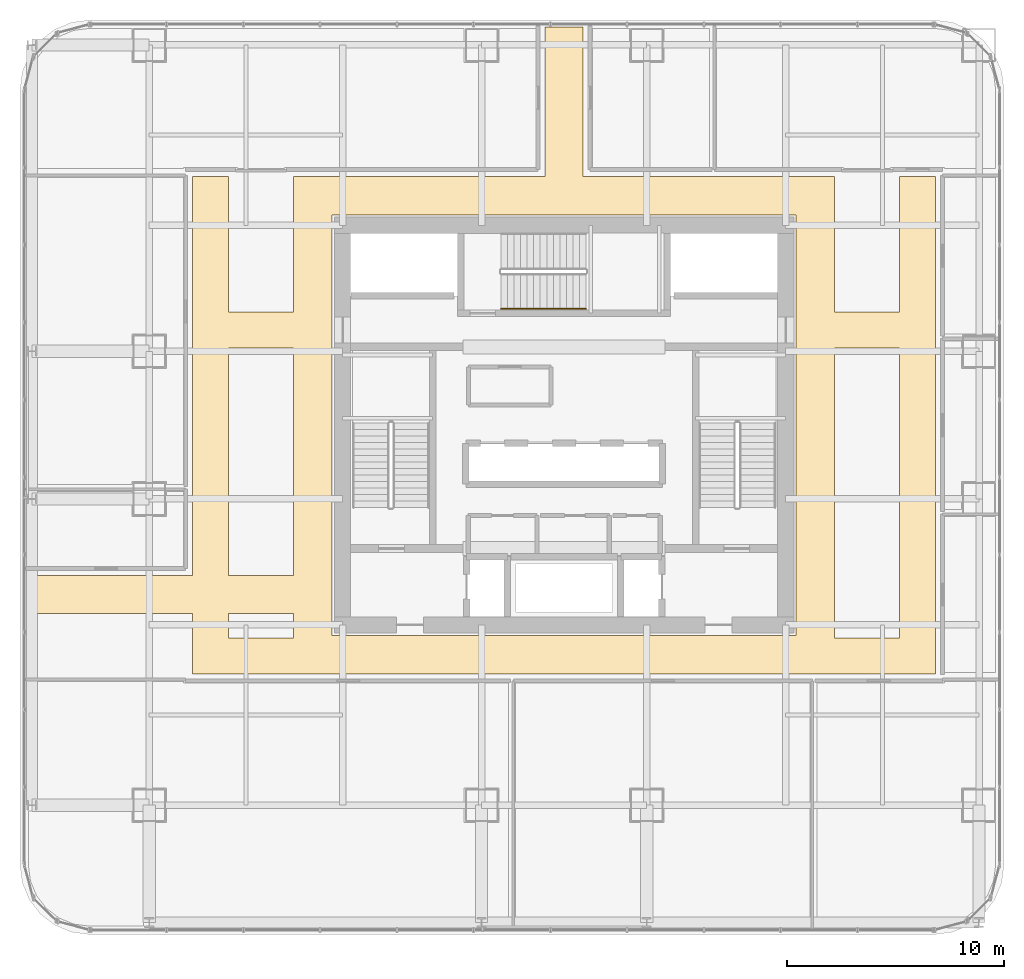
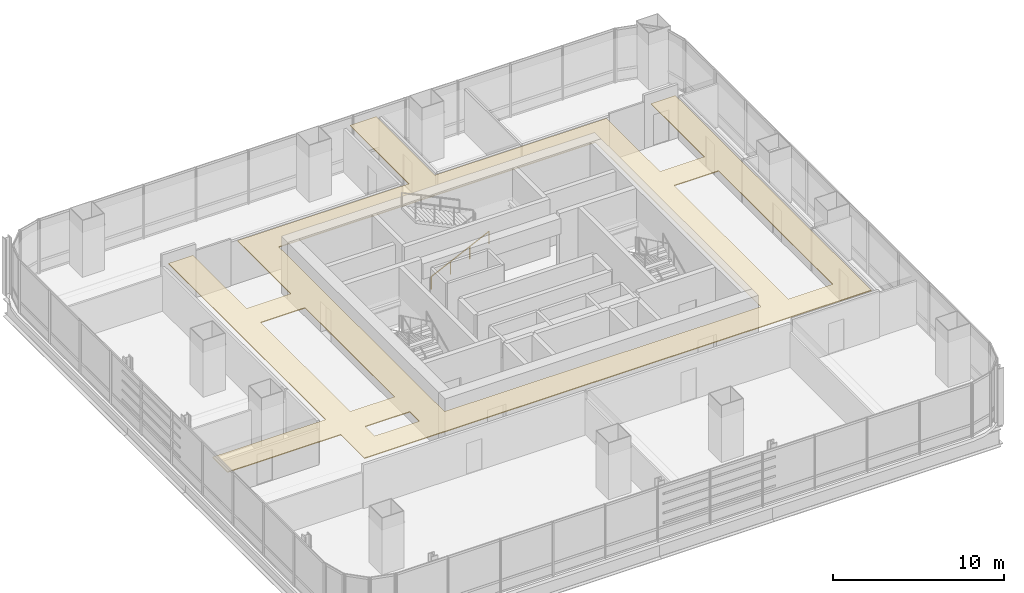
# One storey, part 34 of 36: 1 covering, 1 railing.
"""IFC4 building model written with IfcOpenShell, lengths in metres."""

import ifcopenshell
import ifcopenshell.guid

model = None  # the IFC model being written
_history = None  # IfcOwnerHistory: only IFC2X3 demands one
_inside = {}  # id of a spatial element -> (the spatial element, [elements in it])
_under = {}  # id of a project, library or spatial element -> (it, [spatial elements below it])
_declared = {}  # id of a project -> (the project, [libraries it declares])
_typed = {}  # id of a type object -> (the type object, [elements of that type])
_made_of = {}  # id of a material, layer set ... -> (it, [elements and type objects made of it])


def new_model(schema):
    """Start an empty IFC model of exactly this schema.

    Asked for "IFC4X3", IfcOpenShell would pick the latest addendum, in which some entities
    have other attributes; the version numbers below select the first issue.
    IFC2X3 requires an IfcOwnerHistory on every rooted entity: one is made here for all.
    """
    global model, _history
    if schema == "IFC4X3":
        model = ifcopenshell.file(schema_version=(4, 3, 0, 0))
    else:
        model = ifcopenshell.file(schema=schema)
    _inside.clear()
    _under.clear()
    _declared.clear()
    _typed.clear()
    _made_of.clear()
    _history = None
    if model.schema == "IFC2X3":
        org = make("IfcOrganization", Name="unknown")
        user = make(
            "IfcPersonAndOrganization",
            ThePerson=make("IfcPerson", FamilyName="unknown"),
            TheOrganization=org,
        )
        app = make(
            "IfcApplication",
            ApplicationDeveloper=org,
            Version="unknown",
            ApplicationFullName="unknown",
            ApplicationIdentifier="unknown",
        )
        _history = make(
            "IfcOwnerHistory",
            OwningUser=user,
            OwningApplication=app,
            ChangeAction="ADDED",
            CreationDate=0,
        )
    return model


def make(cls, **values):
    """One entity of the class cls with the attributes given. An attribute that is None is left unset."""
    return model.create_entity(
        cls, **{name: value for name, value in values.items() if value is not None}
    )


def rooted(cls, **values):
    """An entity with a GlobalId (a new one), such as an element, a storey or a relation."""
    return make(cls, GlobalId=ifcopenshell.guid.new(), OwnerHistory=_history, **values)


def si_unit(unit_type, name, prefix=None):
    """IfcSIUnit, for example si_unit("LENGTHUNIT", "METRE", prefix="MILLI")."""
    return make("IfcSIUnit", UnitType=unit_type, Prefix=prefix, Name=name)


def assignment(units):
    """IfcUnitAssignment: the units of a project."""
    return None if units is None else make("IfcUnitAssignment", Units=units)


def point(xyz):
    """IfcCartesianPoint."""
    return None if xyz is None else make("IfcCartesianPoint", Coordinates=xyz)


def direction(xyz):
    """IfcDirection."""
    return None if xyz is None else make("IfcDirection", DirectionRatios=xyz)


def frame(location, z_axis=None, x_axis=None):
    """IfcAxis2Placement3D, a coordinate frame: its origin and axes. An axis left out is left unset."""
    return make(
        "IfcAxis2Placement3D",
        Location=point(location),
        Axis=direction(z_axis),
        RefDirection=direction(x_axis),
    )


def frame_2d(location, x_axis=None):
    """IfcAxis2Placement2D, a coordinate frame in the plane: its origin and x axis."""
    return make(
        "IfcAxis2Placement2D", Location=point(location), RefDirection=direction(x_axis)
    )


def origin():
    """The frame at (0, 0, 0) with its axes left unset."""
    return frame((0.0, 0.0, 0.0))


def origin_2d():
    """The frame at (0, 0) in the plane with its x axis left unset."""
    return frame_2d((0.0, 0.0))


def place(relative_to, where):
    """IfcLocalPlacement: puts the frame where relative to a parent placement (None: the world)."""
    return make(
        "IfcLocalPlacement", PlacementRelTo=relative_to, RelativePlacement=where
    )


def context(
    kind, dimensions, precision=None, world=None, true_north=None, identifier=None
):
    """IfcGeometricRepresentationContext, for example the 3D "Model" context."""
    return make(
        "IfcGeometricRepresentationContext",
        ContextIdentifier=identifier,
        ContextType=kind,
        CoordinateSpaceDimension=dimensions,
        Precision=precision,
        WorldCoordinateSystem=world,
        TrueNorth=true_north,
    )


def subcontext(parent, identifier, kind, view, scale=None):
    """IfcGeometricRepresentationSubContext, for example "Body" below "Model"."""
    return make(
        "IfcGeometricRepresentationSubContext",
        ContextIdentifier=identifier,
        ContextType=kind,
        ParentContext=parent,
        TargetScale=scale,
        TargetView=view,
    )


def project(units=None, contexts=None):
    """IfcProject with its units and contexts."""
    return rooted(
        "IfcProject",
        Name="project",
        RepresentationContexts=contexts,
        UnitsInContext=assignment(units),
    )


def spatial(cls, under=None, at=None, **own):
    """A site, building, storey or space (cls), placed at a placement, below another one or the project."""
    s = rooted(cls, ObjectPlacement=at, **own)
    if under is not None:
        _under.setdefault(under.id(), (under, []))[1].append(s)
    return s


def polyline(points):
    """IfcPolyline through the points."""
    return make("IfcPolyline", Points=[point(p) for p in points])


def profile(cls, at=None, kind="AREA", **sizes):
    """A parametric profile (cls). Its sizes go by their IFC names, for example OverallWidth=200.0."""
    return make(cls, ProfileType=kind, Position=at, **sizes)


def circle(**sizes):
    """IfcCircleProfileDef."""
    return profile("IfcCircleProfileDef", **sizes)


def outline(outer, holes=None, kind="AREA"):
    """IfcArbitraryClosedProfileDef: a profile drawn as a closed curve; with holes, ...WithVoids."""
    if holes is None:
        return make("IfcArbitraryClosedProfileDef", ProfileType=kind, OuterCurve=outer)
    return make(
        "IfcArbitraryProfileDefWithVoids",
        ProfileType=kind,
        OuterCurve=outer,
        InnerCurves=holes,
    )


def extrude(swept, where, along, depth):
    """IfcExtrudedAreaSolid: the profile swept, set in the frame where, extruded along a direction by depth."""
    return make(
        "IfcExtrudedAreaSolid",
        SweptArea=swept,
        Position=where,
        ExtrudedDirection=direction(along),
        Depth=depth,
    )


def shape(context_of_items, identifier, shape_type, items):
    """IfcShapeRepresentation: the items that make up one representation, for example the "Body"."""
    return make(
        "IfcShapeRepresentation",
        ContextOfItems=context_of_items,
        RepresentationIdentifier=identifier,
        RepresentationType=shape_type,
        Items=items,
    )


def material(Name=None, Category=None):
    """IfcMaterial."""
    return make("IfcMaterial", Name=Name, Category=Category)


def layer(
    of_material, thickness, ventilated=None, Name=None, Category=None, Priority=None
):
    """IfcMaterialLayer: one layer of a wall or slab, of a material (None: an air gap)."""
    return make(
        "IfcMaterialLayer",
        Material=of_material,
        LayerThickness=thickness,
        IsVentilated=ventilated,
        Name=Name,
        Category=Category,
        Priority=Priority,
    )


def layer_set(layers, Name=None):
    """IfcMaterialLayerSet."""
    return make("IfcMaterialLayerSet", MaterialLayers=layers, LayerSetName=Name)


def made_of(thing, what):
    """Note that an element or type object is made of a material, layer set ...; save() writes the relation."""
    if what is not None:
        _made_of.setdefault(what.id(), (what, []))[1].append(thing)
    return thing


def type_object(cls, material=None, **own):
    """A type object (cls), such as IfcWallType, which elements share."""
    return made_of(rooted(cls, **own), material)


def element(
    cls,
    number,
    at=None,
    inside=None,
    cuts=None,
    type_object=None,
    material=None,
    context=None,
    identifier="Body",
    shape_type=None,
    held_by="IfcProductDefinitionShape",
    body=None,
    shapes=None,
    **own,
):
    """One element of the class cls, such as IfcWall. Its Tag is "e" and its number.

    at: its placement. inside: the storey or other place that contains it. cuts: it is an
    opening in that element (IfcRelVoidsElement). A single representation is given by context,
    identifier, shape_type and body (its items); several are given by shapes. held_by: the class
    of the entity that holds the representations. save() writes the other relations.
    """
    e = rooted(cls, Tag="e%d" % number, ObjectPlacement=at, **own)
    if body is not None:
        shapes = [shape(context, identifier, shape_type, body)]
    if shapes is not None:
        e.Representation = make(held_by, Representations=shapes)
    if inside is not None:
        _inside.setdefault(inside.id(), (inside, []))[1].append(e)
    if cuts is not None:
        rooted(
            "IfcRelVoidsElement", RelatingBuildingElement=cuts, RelatedOpeningElement=e
        )
    if type_object is not None:
        _typed.setdefault(type_object.id(), (type_object, []))[1].append(e)
    return made_of(e, material)


def aggregate(whole, parts):
    """IfcRelAggregates: a whole, such as a stair, and the parts it consists of."""
    return rooted("IfcRelAggregates", RelatingObject=whole, RelatedObjects=parts)


def save(model, path):
    """Write the relations noted so far, then the file.

    IfcRelAggregates (storeys below a building ...), IfcRelContainedInSpatialStructure (elements
    in a storey), IfcRelDefinesByType, IfcRelAssociatesMaterial and IfcRelDeclares: one each for
    every whole, place, type object, material and project.
    """
    for whole, parts in _under.values():
        aggregate(whole, parts)
    for where, things in _inside.values():
        rooted(
            "IfcRelContainedInSpatialStructure",
            RelatedElements=things,
            RelatingStructure=where,
        )
    for kind, things in _typed.values():
        rooted("IfcRelDefinesByType", RelatedObjects=things, RelatingType=kind)
    for what, things in _made_of.values():
        rooted("IfcRelAssociatesMaterial", RelatedObjects=things, RelatingMaterial=what)
    for by, libraries in _declared.values():
        rooted("IfcRelDeclares", RelatingContext=by, RelatedDefinitions=libraries)
    model.write(path)


model = new_model("IFC4")

# Units and contexts
model_context = context("Model", 3, precision=1e-05, world=origin(), true_north=direction((0.0, 1.0)))
body_context = subcontext(model_context, "Body", "Model", "MODEL_VIEW")
ifc_project = project(units=[si_unit("LENGTHUNIT", "METRE"), si_unit("AREAUNIT", "SQUARE_METRE"), si_unit("VOLUMEUNIT", "CUBIC_METRE"), si_unit("PLANEANGLEUNIT", "RADIAN"), si_unit("MASSUNIT", "GRAM", prefix="KILO")], contexts=[model_context])

# Site, building, storey
site_placement = place(None, origin())
site = spatial("IfcSite", under=ifc_project, at=site_placement, CompositionType="ELEMENT")
building_placement = place(site_placement, origin())
building = spatial("IfcBuilding", under=site, at=building_placement, Name="Punatoya Terracotta Tower", CompositionType="ELEMENT")
storey_placement = place(building_placement, frame((0.0, 0.0, 32.25)))
storey = spatial("IfcBuildingStorey", under=building, at=storey_placement, Name="L06", CompositionType="ELEMENT", Elevation=32.25)

# Covering
ifc_material_1 = material(Name="Acoustic Mineral Fibre Ceiling")
ifc_layer = layer(ifc_material_1, 0.06005859375)
ifc_layer_set = layer_set([ifc_layer], Name="Acoustic Mineral Fibre Ceiling")
covering_type = type_object("IfcCoveringType", Name="COV-CEIL-60", PredefinedType="CEILING", material=ifc_layer_set)
covering_placement = place(storey_placement, frame((0.0, 0.0, 3.199951171875)))
element("IfcCovering", 1, at=covering_placement, inside=storey, type_object=covering_type, Name="L06 Ring Circulation Corridor Acoustic Ceiling", PredefinedType="CEILING", context=body_context, shape_type="SweptSolid", body=[
    extrude(outline(polyline([(-17.10009765625, -11.449951171875), (17.10009765625, -11.449951171875), (17.10009765625, 11.449951171875), (15.449951171875, 11.449951171875), (15.449951171875, 5.199951171875), (12.449951171875, 5.199951171875), (12.449951171875, 11.449951171875), (0.8798828125, 11.449951171875), (0.8798828125, 18.330078125), (-0.8798828125, 18.330078125), (-0.8798828125, 11.449951171875), (-12.449951171875, 11.449951171875), (-12.449951171875, 5.199951171875), (-15.449951171875, 5.199951171875), (-15.449951171875, 11.449951171875), (-17.10009765625, 11.449951171875), (-17.10009765625, -6.919921875), (-24.72998046875, -6.919921875), (-24.72998046875, -8.679931640625), (-17.10009765625, -8.679931640625), (-17.10009765625, -11.449951171875)]), holes=[polyline([(15.449951171875, 3.550048828125), (15.449951171875, -9.800048828125), (12.449951171875, -9.800048828125), (12.449951171875, 3.550048828125), (15.449951171875, 3.550048828125)]), polyline([(10.679931640625, 9.679931640625), (10.679931640625, -9.679931640625), (-10.679931640625, -9.679931640625), (-10.679931640625, 9.679931640625), (10.679931640625, 9.679931640625)]), polyline([(-15.449951171875, -9.800048828125), (-15.449951171875, -8.679931640625), (-12.449951171875, -8.679931640625), (-12.449951171875, -9.800048828125), (-15.449951171875, -9.800048828125)]), polyline([(-12.449951171875, -6.919921875), (-15.449951171875, -6.919921875), (-15.449951171875, 3.550048828125), (-12.449951171875, 3.550048828125), (-12.449951171875, -6.919921875)])]), origin(), (0.0, 0.0, 1.0), 0.06005859375),
])

# Railing
ifc_material_2 = material(Name="Steel S355", Category="steel")
railing_type = type_object("IfcRailingType", Name="RLG-HND-900", PredefinedType="HANDRAIL", material=ifc_material_2)
railing_placement = place(storey_placement, frame((-2.89990234375, 5.35009765625, 0.14453125)))
element("IfcRailing", 2, at=railing_placement, inside=storey, type_object=railing_type, Name="L06 ST-3 stair handrail 1", PredefinedType="HANDRAIL", context=body_context, shape_type="SweptSolid", body=[
    extrude(circle(Radius=0.02392578125, at=origin_2d()), frame((0.0, 0.0, 0.8759765625), z_axis=(0.900763166376, 0.0, 0.434310623978), x_axis=(0.0, 1.0, 0.0)), (0.0, 0.0, 1.0), 4.32958984375),
    extrude(circle(Radius=0.02099609375, at=origin_2d()), origin(), (0.0, 0.0, 1.0), 0.851806640625),
    extrude(circle(Radius=0.02099609375, at=origin_2d()), frame((1.300048828125, 0.0, 0.626708984375)), (0.0, 0.0, 1.0), 0.851806640625),
    extrude(circle(Radius=0.02099609375, at=origin_2d()), frame((2.599853515625, 0.0, 1.253662109375)), (0.0, 0.0, 1.0), 0.851806640625),
    extrude(circle(Radius=0.02099609375, at=origin_2d()), frame((3.89990234375, 0.0, 1.88037109375)), (0.0, 0.0, 1.0), 0.851806640625),
])

save(model, "model.ifc")
